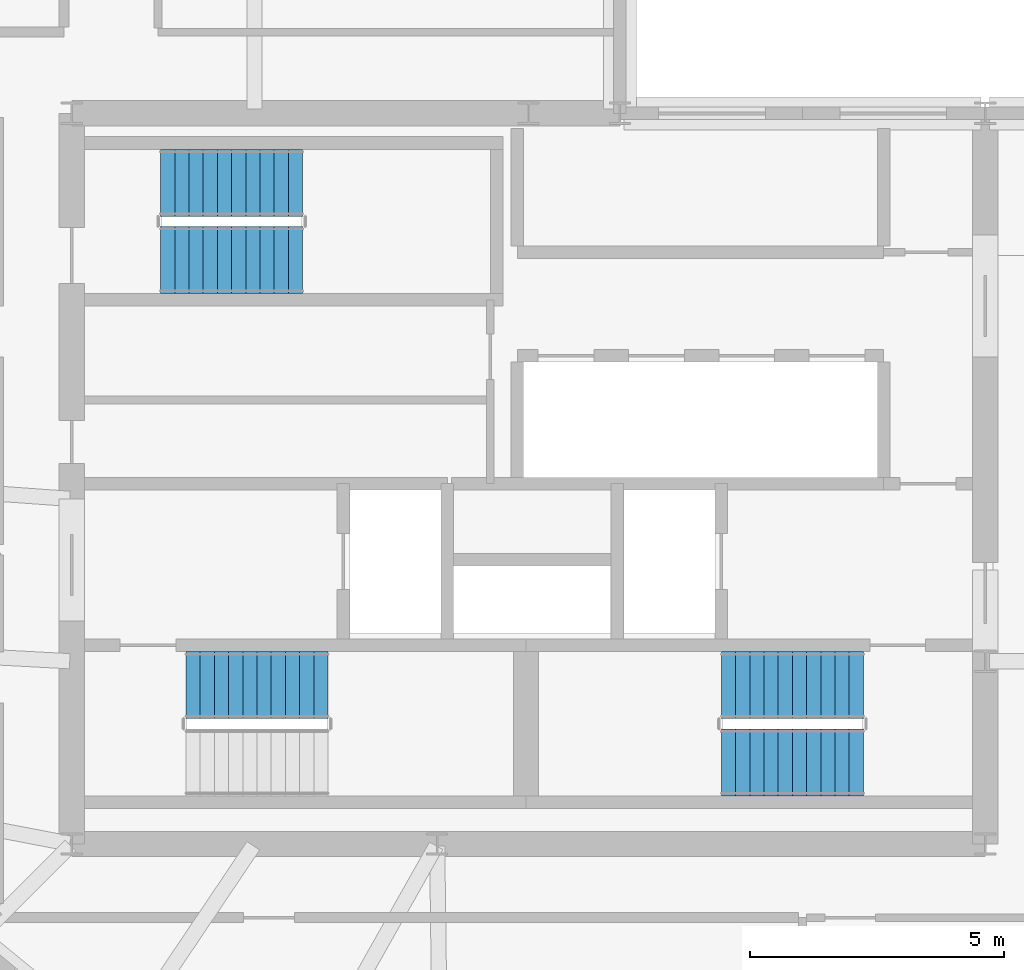
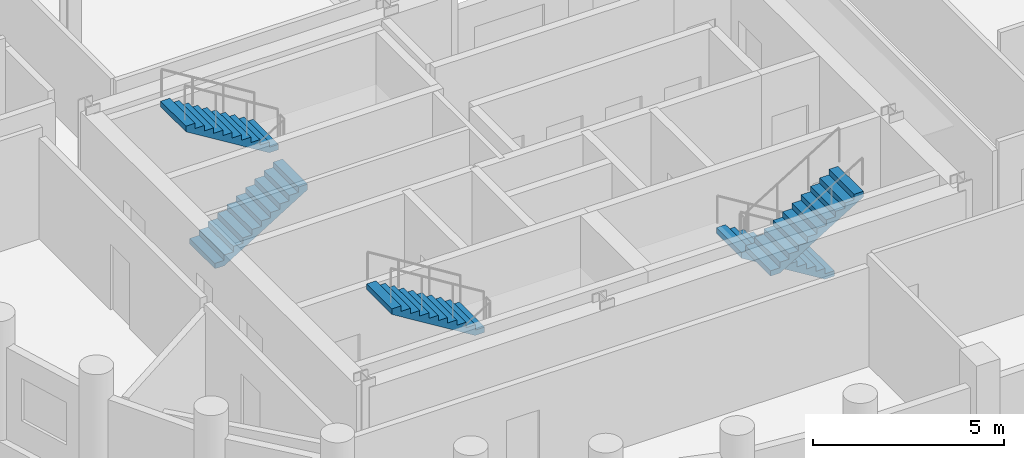
# One storey, part 7 of 8: 5 stair flights, 3 elements without a shape of their own.
"""IFC4 building model written with IfcOpenShell, lengths in metres."""

from ifc_helpers import new_model, si_unit, direction, frame, origin, place, context, subcontext, project, spatial, polyline, outline, extrude, material, type_object, element, aggregate, save


model = new_model("IFC4")

# Units and contexts
model_context = context("Model", 3, precision=1e-05, world=origin(), true_north=direction((0.0, 1.0)))
body_context = subcontext(model_context, "Body", "Model", "MODEL_VIEW")
ifc_project = project(units=[si_unit("LENGTHUNIT", "METRE"), si_unit("AREAUNIT", "SQUARE_METRE"), si_unit("VOLUMEUNIT", "CUBIC_METRE"), si_unit("PLANEANGLEUNIT", "RADIAN"), si_unit("MASSUNIT", "GRAM", prefix="KILO")], contexts=[model_context])

# Site, building, storey
site_placement = place(None, origin())
site = spatial("IfcSite", under=ifc_project, at=site_placement, CompositionType="ELEMENT")
building_placement = place(site_placement, origin())
building = spatial("IfcBuilding", under=site, at=building_placement, Name="Solnavia Interchange Tower", CompositionType="ELEMENT")
storey_placement = place(building_placement, frame((0.0, 0.0, 178.60009765625)))
storey = spatial("IfcBuildingStorey", under=building, at=storey_placement, Name="L44", CompositionType="ELEMENT", Elevation=178.60009765625)

# Stair, stair flight
ifc_material = material(Name="Concrete C40/50", Category="concrete")
stair_type = type_object("IfcStairType", Name="Stair-Dogleg-RC", PredefinedType="HALF_TURN_STAIR", material=ifc_material)
stair_1_placement = place(storey_placement, origin())
stair_1 = element("IfcStair", 1, at=stair_1_placement, inside=storey, type_object=stair_type, Name="L44 Core exit stair 1", PredefinedType="HALF_TURN_STAIR")
stair_flight_type = type_object("IfcStairFlightType", Name="StairFlight-RC-150", PredefinedType="STRAIGHT", material=ifc_material)
stair_flight_1_placement = place(storey_placement, frame((19.449951171875, 13.929931640625, 1.89990234375), z_axis=(0.0, 0.0, 1.0), x_axis=(-1.0, 0.0, 0.0)))
stair_flight_1 = element("IfcStairFlight", 2, at=stair_flight_1_placement, type_object=stair_flight_type, Name="ST-1 flight 2", NumberOfRisers=11, NumberOfTreads=10, PredefinedType="STRAIGHT", RiserHeight=0.172727273, TreadLength=0.28, context=body_context, shape_type="SweptSolid", body=[
    extrude(outline(polyline([(0.0, 0.0), (0.0, 0.172607421875), (0.280029296875, 0.172607421875), (0.280029296875, 0.345458984375), (0.56005859375, 0.345458984375), (0.56005859375, 0.51806640625), (0.840087890625, 0.51806640625), (0.840087890625, 0.69091796875), (1.1201171875, 0.69091796875), (1.1201171875, 0.863525390625), (1.39990234375, 0.863525390625), (1.39990234375, 1.036376953125), (1.679931640625, 1.036376953125), (1.679931640625, 1.208984375), (1.9599609375, 1.208984375), (1.9599609375, 1.3818359375), (2.239990234375, 1.3818359375), (2.239990234375, 1.554443359375), (2.52001953125, 1.554443359375), (2.52001953125, 1.727294921875), (2.800048828125, 1.727294921875), (2.800048828125, 1.89990234375), (2.800048828125, 1.551025390625), (0.285400390625, 0.0), (0.0, 0.0)])), frame((0.0, 0.66015625, 0.0), z_axis=(0.0, -1.0, 0.0), x_axis=(1.0, 0.0, 0.0)), (0.0, 0.0, 1.0), 1.320068359375),
])
aggregate(stair_1, [stair_flight_1])

# Stair, stair flights
stair_2_placement = place(storey_placement, origin())
stair_2 = element("IfcStair", 3, at=stair_2_placement, inside=storey, type_object=stair_type, Name="L44 Core exit stair 2", PredefinedType="HALF_TURN_STAIR")
stair_flight_2_placement = place(storey_placement, frame((30.0, 13.929931640625, 0.0), z_axis=(0.0, 0.0, 1.0), x_axis=(-1.0, 0.0, 0.0)))
stair_flight_2 = element("IfcStairFlight", 4, at=stair_flight_2_placement, type_object=stair_flight_type, Name="ST-2 flight 1", NumberOfRisers=11, NumberOfTreads=10, PredefinedType="STRAIGHT", RiserHeight=0.172727273, TreadLength=0.28, context=body_context, shape_type="SweptSolid", body=[
    extrude(outline(polyline([(0.0, 0.0), (0.0, 0.172607421875), (0.280029296875, 0.172607421875), (0.280029296875, 0.345458984375), (0.56005859375, 0.345458984375), (0.56005859375, 0.51806640625), (0.840087890625, 0.51806640625), (0.840087890625, 0.69091796875), (1.1201171875, 0.69091796875), (1.1201171875, 0.863525390625), (1.39990234375, 0.863525390625), (1.39990234375, 1.036376953125), (1.679931640625, 1.036376953125), (1.679931640625, 1.208984375), (1.9599609375, 1.208984375), (1.9599609375, 1.3818359375), (2.239990234375, 1.3818359375), (2.239990234375, 1.554443359375), (2.52001953125, 1.554443359375), (2.52001953125, 1.727294921875), (2.800048828125, 1.727294921875), (2.800048828125, 1.89990234375), (2.800048828125, 1.551025390625), (0.285400390625, 0.0), (0.0, 0.0)])), frame((0.0, 0.66015625, 0.0), z_axis=(0.0, -1.0, 0.0), x_axis=(1.0, 0.0, 0.0)), (0.0, 0.0, 1.0), 1.320068359375),
])
stair_flight_3_placement = place(storey_placement, frame((27.199951171875, 12.409912109375, 1.89990234375), z_axis=(0.0, 0.0, 1.0), x_axis=(1.0, 0.0, 0.0)))
stair_flight_3 = element("IfcStairFlight", 5, at=stair_flight_3_placement, type_object=stair_flight_type, Name="ST-2 flight 2", NumberOfRisers=11, NumberOfTreads=10, PredefinedType="STRAIGHT", RiserHeight=0.172727273, TreadLength=0.28, context=body_context, shape_type="SweptSolid", body=[
    extrude(outline(polyline([(0.0, 0.0), (0.0, 0.172607421875), (0.280029296875, 0.172607421875), (0.280029296875, 0.345458984375), (0.56005859375, 0.345458984375), (0.56005859375, 0.51806640625), (0.840087890625, 0.51806640625), (0.840087890625, 0.69091796875), (1.1201171875, 0.69091796875), (1.1201171875, 0.863525390625), (1.39990234375, 0.863525390625), (1.39990234375, 1.036376953125), (1.679931640625, 1.036376953125), (1.679931640625, 1.208984375), (1.9599609375, 1.208984375), (1.9599609375, 1.3818359375), (2.239990234375, 1.3818359375), (2.239990234375, 1.554443359375), (2.52001953125, 1.554443359375), (2.52001953125, 1.727294921875), (2.800048828125, 1.727294921875), (2.800048828125, 1.89990234375), (2.800048828125, 1.551025390625), (0.285400390625, 0.0), (0.0, 0.0)])), frame((0.0, 0.66015625, 0.0), z_axis=(0.0, -1.0, 0.0), x_axis=(1.0, 0.0, 0.0)), (0.0, 0.0, 1.0), 1.320068359375),
])
aggregate(stair_2, [stair_flight_2, stair_flight_3])

stair_3_placement = place(storey_placement, origin())
stair_3 = element("IfcStair", 6, at=stair_3_placement, inside=storey, type_object=stair_type, Name="L44 Core exit stair 3", PredefinedType="HALF_TURN_STAIR")
stair_flight_4_placement = place(storey_placement, frame((16.14990234375, 22.31005859375, 0.0), z_axis=(0.0, 0.0, 1.0), x_axis=(1.0, 0.0, 0.0)))
stair_flight_4 = element("IfcStairFlight", 7, at=stair_flight_4_placement, type_object=stair_flight_type, Name="ST-3 flight 1", NumberOfRisers=11, NumberOfTreads=10, PredefinedType="STRAIGHT", RiserHeight=0.172727273, TreadLength=0.28, context=body_context, shape_type="SweptSolid", body=[
    extrude(outline(polyline([(0.0, 0.0), (0.0, 0.172607421875), (0.280029296875, 0.172607421875), (0.280029296875, 0.345458984375), (0.56005859375, 0.345458984375), (0.56005859375, 0.51806640625), (0.840087890625, 0.51806640625), (0.840087890625, 0.69091796875), (1.1201171875, 0.69091796875), (1.1201171875, 0.863525390625), (1.39990234375, 0.863525390625), (1.39990234375, 1.036376953125), (1.679931640625, 1.036376953125), (1.679931640625, 1.208984375), (1.9599609375, 1.208984375), (1.9599609375, 1.3818359375), (2.239990234375, 1.3818359375), (2.239990234375, 1.554443359375), (2.52001953125, 1.554443359375), (2.52001953125, 1.727294921875), (2.800048828125, 1.727294921875), (2.800048828125, 1.89990234375), (2.800048828125, 1.551025390625), (0.285400390625, 0.0), (0.0, 0.0)])), frame((0.0, 0.66015625, 0.0), z_axis=(0.0, -1.0, 0.0), x_axis=(1.0, 0.0, 0.0)), (0.0, 0.0, 1.0), 1.320068359375),
])
stair_flight_5_placement = place(storey_placement, frame((18.949951171875, 23.830078125, 1.89990234375), z_axis=(0.0, 0.0, 1.0), x_axis=(-1.0, 0.0, 0.0)))
stair_flight_5 = element("IfcStairFlight", 8, at=stair_flight_5_placement, type_object=stair_flight_type, Name="ST-3 flight 2", NumberOfRisers=11, NumberOfTreads=10, PredefinedType="STRAIGHT", RiserHeight=0.172727273, TreadLength=0.28, context=body_context, shape_type="SweptSolid", body=[
    extrude(outline(polyline([(0.0, 0.0), (0.0, 0.172607421875), (0.280029296875, 0.172607421875), (0.280029296875, 0.345458984375), (0.56005859375, 0.345458984375), (0.56005859375, 0.51806640625), (0.840087890625, 0.51806640625), (0.840087890625, 0.69091796875), (1.1201171875, 0.69091796875), (1.1201171875, 0.863525390625), (1.39990234375, 0.863525390625), (1.39990234375, 1.036376953125), (1.679931640625, 1.036376953125), (1.679931640625, 1.208984375), (1.9599609375, 1.208984375), (1.9599609375, 1.3818359375), (2.239990234375, 1.3818359375), (2.239990234375, 1.554443359375), (2.52001953125, 1.554443359375), (2.52001953125, 1.727294921875), (2.800048828125, 1.727294921875), (2.800048828125, 1.89990234375), (2.800048828125, 1.551025390625), (0.285400390625, 0.0), (0.0, 0.0)])), frame((0.0, 0.66015625, 0.0), z_axis=(0.0, -1.0, 0.0), x_axis=(1.0, 0.0, 0.0)), (0.0, 0.0, 1.0), 1.320068359375),
])
aggregate(stair_3, [stair_flight_4, stair_flight_5])

save(model, "model.ifc")
